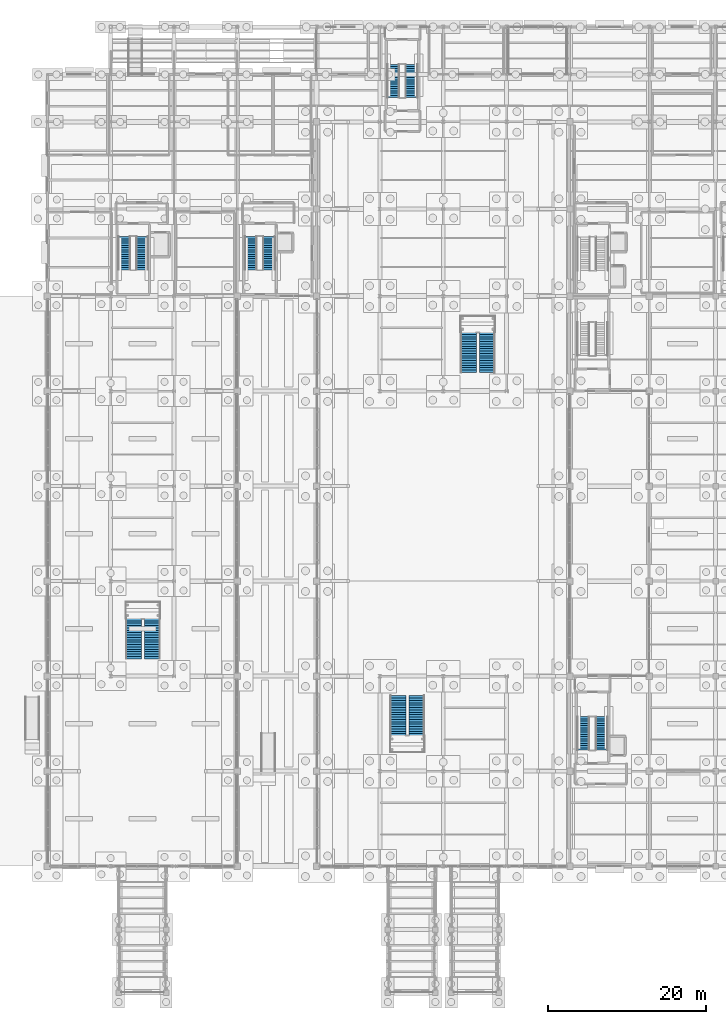
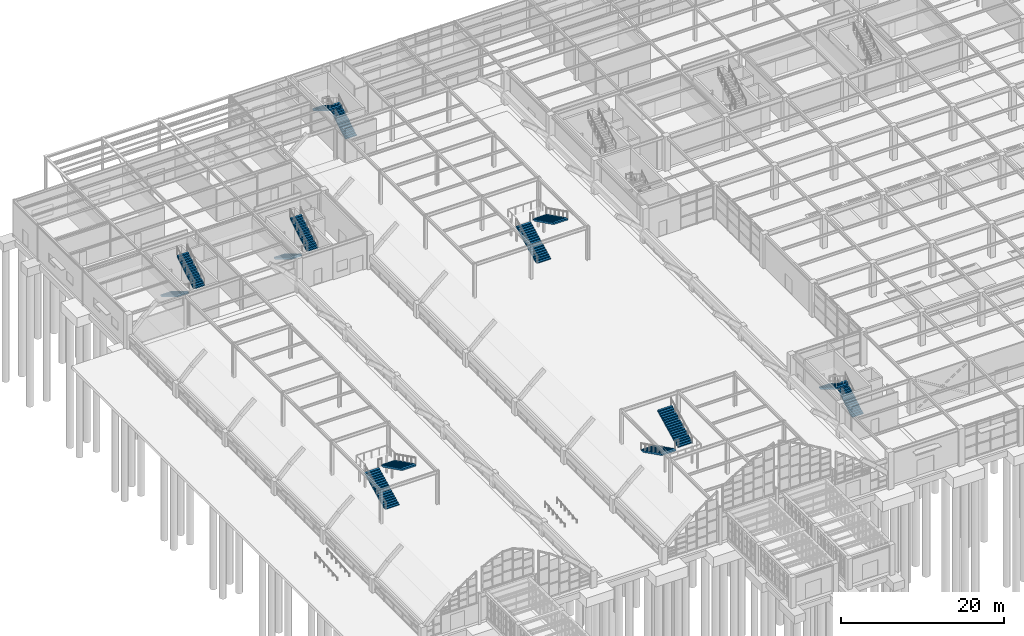
# One storey, part 111 of 129: 14 stair flights, 7 elements without a shape of their own.
"""IFC4 building model written with IfcOpenShell, lengths in metres."""

from ifc_helpers import new_model, si_unit, direction, frame, origin, place, context, subcontext, project, spatial, polyline, outline, extrude, material, type_object, element, aggregate, save


model = new_model("IFC4")

# Units and contexts
model_context = context("Model", 3, precision=1e-05, world=origin(), true_north=direction((0.0, 1.0)))
body_context = subcontext(model_context, "Body", "Model", "MODEL_VIEW")
ifc_project = project(units=[si_unit("LENGTHUNIT", "METRE"), si_unit("AREAUNIT", "SQUARE_METRE"), si_unit("VOLUMEUNIT", "CUBIC_METRE"), si_unit("PLANEANGLEUNIT", "RADIAN"), si_unit("MASSUNIT", "GRAM", prefix="KILO")], contexts=[model_context])

# Site, building, storey
site_placement = place(None, origin())
site = spatial("IfcSite", under=ifc_project, at=site_placement, CompositionType="ELEMENT")
building_placement = place(site_placement, origin())
building = spatial("IfcBuilding", under=site, at=building_placement, Name="Sitalva Quay Ferry Terminal", CompositionType="ELEMENT")
storey_placement = place(building_placement, origin())
storey = spatial("IfcBuildingStorey", under=building, at=storey_placement, Name="L01", CompositionType="ELEMENT", Elevation=0.0)

# Stair, stair flights
ifc_material_1 = material(Name="Concrete C35/45", Category="concrete")
stair_type_1 = type_object("IfcStairType", Name="Stair_ConcourseFeature_2000", PredefinedType="HALF_TURN_STAIR", material=ifc_material_1)
stair_1_placement = place(storey_placement, origin())
stair_1 = element("IfcStair", 1, at=stair_1_placement, inside=storey, type_object=stair_type_1, Name="Grand concourse feature stair ST-11", PredefinedType="HALF_TURN_STAIR")
ifc_material_2 = material(Name="Concrete C35/45", Category="concrete")
stair_flight_type_1 = type_object("IfcStairFlightType", Name="Stair_ConcourseFeature_2000_Flight", PredefinedType="STRAIGHT", material=ifc_material_2)
stair_flight_1_placement = place(storey_placement, frame((52.300048828125, 27.5400390625, 0.0), z_axis=(0.0, 0.0, 1.0), x_axis=(0.0, -1.0, 0.0)))
stair_flight_1 = element("IfcStairFlight", 2, at=stair_flight_1_placement, type_object=stair_flight_type_1, Name="ST-11 flight 1", NumberOfRisers=18, NumberOfTreads=17, PredefinedType="STRAIGHT", RiserHeight=0.15, TreadLength=0.3, context=body_context, shape_type="SweptSolid", body=[
    extrude(outline(polyline([(0.0, 0.0), (0.0, 0.14990234375), (0.300048828125, 0.14990234375), (0.300048828125, 0.300048828125), (0.60009765625, 0.300048828125), (0.60009765625, 0.449951171875), (0.89990234375, 0.449951171875), (0.89990234375, 0.60009765625), (1.199951171875, 0.60009765625), (1.199951171875, 0.75), (1.5, 0.75), (1.5, 0.89990234375), (1.800048828125, 0.89990234375), (1.800048828125, 1.050048828125), (2.10009765625, 1.050048828125), (2.10009765625, 1.199951171875), (2.39990234375, 1.199951171875), (2.39990234375, 1.35009765625), (2.699951171875, 1.35009765625), (2.699951171875, 1.5), (3.0, 1.5), (3.0, 1.64990234375), (3.300048828125, 1.64990234375), (3.300048828125, 1.800048828125), (3.60009765625, 1.800048828125), (3.60009765625, 1.949951171875), (3.89990234375, 1.949951171875), (3.89990234375, 2.10009765625), (4.199951171875, 2.10009765625), (4.199951171875, 2.25), (4.5, 2.25), (4.5, 2.39990234375), (4.800048828125, 2.39990234375), (4.800048828125, 2.550048828125), (5.10009765625, 2.550048828125), (5.10009765625, 2.699951171875), (5.10009765625, 2.326416015625), (4.841552734375, 2.197265625), (4.5830078125, 2.06787109375), (4.324462890625, 1.938720703125), (4.06591796875, 1.8095703125), (3.8076171875, 1.68017578125), (3.549072265625, 1.551025390625), (3.29052734375, 1.421630859375), (3.031982421875, 1.29248046875), (2.7734375, 1.163330078125), (2.51513671875, 1.033935546875), (2.256591796875, 0.90478515625), (1.998046875, 0.775390625), (1.739501953125, 0.646240234375), (1.481201171875, 0.51708984375), (1.22265625, 0.3876953125), (0.964111328125, 0.258544921875), (0.70556640625, 0.129150390625), (0.447021484375, 0.0), (0.0, 0.0)])), frame((0.0, 1.0, 0.0), z_axis=(0.0, -1.0, 0.0), x_axis=(1.0, 0.0, 0.0)), (0.0, 0.0, 1.0), 2.0),
])
stair_flight_2_placement = place(storey_placement, frame((54.64990234375, 22.43994140625, 2.699951171875), z_axis=(0.0, 0.0, 1.0), x_axis=(0.0, 1.0, 0.0)))
stair_flight_2 = element("IfcStairFlight", 3, at=stair_flight_2_placement, type_object=stair_flight_type_1, Name="ST-11 flight 2", NumberOfRisers=18, NumberOfTreads=17, PredefinedType="STRAIGHT", RiserHeight=0.15, TreadLength=0.3, context=body_context, shape_type="SweptSolid", body=[
    extrude(outline(polyline([(0.0, 0.0), (0.0, 0.14990234375), (0.300048828125, 0.14990234375), (0.300048828125, 0.300048828125), (0.60009765625, 0.300048828125), (0.60009765625, 0.449951171875), (0.89990234375, 0.449951171875), (0.89990234375, 0.60009765625), (1.199951171875, 0.60009765625), (1.199951171875, 0.75), (1.5, 0.75), (1.5, 0.89990234375), (1.800048828125, 0.89990234375), (1.800048828125, 1.050048828125), (2.10009765625, 1.050048828125), (2.10009765625, 1.199951171875), (2.39990234375, 1.199951171875), (2.39990234375, 1.35009765625), (2.699951171875, 1.35009765625), (2.699951171875, 1.5), (3.0, 1.5), (3.0, 1.64990234375), (3.300048828125, 1.64990234375), (3.300048828125, 1.800048828125), (3.60009765625, 1.800048828125), (3.60009765625, 1.949951171875), (3.89990234375, 1.949951171875), (3.89990234375, 2.10009765625), (4.199951171875, 2.10009765625), (4.199951171875, 2.25), (4.5, 2.25), (4.5, 2.39990234375), (4.800048828125, 2.39990234375), (4.800048828125, 2.550048828125), (5.10009765625, 2.550048828125), (5.10009765625, 2.699951171875), (5.10009765625, 2.326416015625), (4.841552734375, 2.197265625), (4.5830078125, 2.06787109375), (4.324462890625, 1.938720703125), (4.06591796875, 1.8095703125), (3.8076171875, 1.68017578125), (3.549072265625, 1.551025390625), (3.29052734375, 1.421630859375), (3.031982421875, 1.29248046875), (2.7734375, 1.163330078125), (2.51513671875, 1.033935546875), (2.256591796875, 0.90478515625), (1.998046875, 0.775390625), (1.739501953125, 0.646240234375), (1.481201171875, 0.51708984375), (1.22265625, 0.3876953125), (0.964111328125, 0.258544921875), (0.70556640625, 0.129150390625), (0.447021484375, 0.0), (0.0, 0.0)])), frame((0.0, 1.0, 0.0), z_axis=(0.0, -1.0, 0.0), x_axis=(1.0, 0.0, 0.0)), (0.0, 0.0, 1.0), 2.0),
])
aggregate(stair_1, [stair_flight_1, stair_flight_2])

stair_2_placement = place(storey_placement, origin())
stair_2 = element("IfcStair", 4, at=stair_2_placement, inside=storey, type_object=stair_type_1, Name="Grand concourse feature stair ST-12", PredefinedType="HALF_TURN_STAIR")
stair_flight_3_placement = place(storey_placement, frame((61.199951171875, 68.360107421875, 0.0), z_axis=(0.0, 0.0, 1.0), x_axis=(0.0, 1.0, 0.0)))
stair_flight_3 = element("IfcStairFlight", 5, at=stair_flight_3_placement, type_object=stair_flight_type_1, Name="ST-12 flight 1", NumberOfRisers=18, NumberOfTreads=17, PredefinedType="STRAIGHT", RiserHeight=0.15, TreadLength=0.3, context=body_context, shape_type="SweptSolid", body=[
    extrude(outline(polyline([(0.0, 0.0), (0.0, 0.14990234375), (0.300048828125, 0.14990234375), (0.300048828125, 0.300048828125), (0.60009765625, 0.300048828125), (0.60009765625, 0.449951171875), (0.89990234375, 0.449951171875), (0.89990234375, 0.60009765625), (1.199951171875, 0.60009765625), (1.199951171875, 0.75), (1.5, 0.75), (1.5, 0.89990234375), (1.800048828125, 0.89990234375), (1.800048828125, 1.050048828125), (2.10009765625, 1.050048828125), (2.10009765625, 1.199951171875), (2.39990234375, 1.199951171875), (2.39990234375, 1.35009765625), (2.699951171875, 1.35009765625), (2.699951171875, 1.5), (3.0, 1.5), (3.0, 1.64990234375), (3.300048828125, 1.64990234375), (3.300048828125, 1.800048828125), (3.60009765625, 1.800048828125), (3.60009765625, 1.949951171875), (3.89990234375, 1.949951171875), (3.89990234375, 2.10009765625), (4.199951171875, 2.10009765625), (4.199951171875, 2.25), (4.5, 2.25), (4.5, 2.39990234375), (4.800048828125, 2.39990234375), (4.800048828125, 2.550048828125), (5.10009765625, 2.550048828125), (5.10009765625, 2.699951171875), (5.10009765625, 2.326416015625), (4.841552734375, 2.197265625), (4.5830078125, 2.06787109375), (4.324462890625, 1.938720703125), (4.06591796875, 1.8095703125), (3.8076171875, 1.68017578125), (3.549072265625, 1.551025390625), (3.29052734375, 1.421630859375), (3.031982421875, 1.29248046875), (2.7734375, 1.163330078125), (2.51513671875, 1.033935546875), (2.256591796875, 0.90478515625), (1.998046875, 0.775390625), (1.739501953125, 0.646240234375), (1.481201171875, 0.51708984375), (1.22265625, 0.3876953125), (0.964111328125, 0.258544921875), (0.70556640625, 0.129150390625), (0.447021484375, 0.0), (0.0, 0.0)])), frame((0.0, 1.0, 0.0), z_axis=(0.0, -1.0, 0.0), x_axis=(1.0, 0.0, 0.0)), (0.0, 0.0, 1.0), 2.0),
])
stair_flight_4_placement = place(storey_placement, frame((63.550048828125, 73.4599609375, 2.699951171875), z_axis=(0.0, 0.0, 1.0), x_axis=(0.0, -1.0, 0.0)))
stair_flight_4 = element("IfcStairFlight", 6, at=stair_flight_4_placement, type_object=stair_flight_type_1, Name="ST-12 flight 2", NumberOfRisers=18, NumberOfTreads=17, PredefinedType="STRAIGHT", RiserHeight=0.15, TreadLength=0.3, context=body_context, shape_type="SweptSolid", body=[
    extrude(outline(polyline([(0.0, 0.0), (0.0, 0.14990234375), (0.300048828125, 0.14990234375), (0.300048828125, 0.300048828125), (0.60009765625, 0.300048828125), (0.60009765625, 0.449951171875), (0.89990234375, 0.449951171875), (0.89990234375, 0.60009765625), (1.199951171875, 0.60009765625), (1.199951171875, 0.75), (1.5, 0.75), (1.5, 0.89990234375), (1.800048828125, 0.89990234375), (1.800048828125, 1.050048828125), (2.10009765625, 1.050048828125), (2.10009765625, 1.199951171875), (2.39990234375, 1.199951171875), (2.39990234375, 1.35009765625), (2.699951171875, 1.35009765625), (2.699951171875, 1.5), (3.0, 1.5), (3.0, 1.64990234375), (3.300048828125, 1.64990234375), (3.300048828125, 1.800048828125), (3.60009765625, 1.800048828125), (3.60009765625, 1.949951171875), (3.89990234375, 1.949951171875), (3.89990234375, 2.10009765625), (4.199951171875, 2.10009765625), (4.199951171875, 2.25), (4.5, 2.25), (4.5, 2.39990234375), (4.800048828125, 2.39990234375), (4.800048828125, 2.550048828125), (5.10009765625, 2.550048828125), (5.10009765625, 2.699951171875), (5.10009765625, 2.326416015625), (4.841552734375, 2.197265625), (4.5830078125, 2.06787109375), (4.324462890625, 1.938720703125), (4.06591796875, 1.8095703125), (3.8076171875, 1.68017578125), (3.549072265625, 1.551025390625), (3.29052734375, 1.421630859375), (3.031982421875, 1.29248046875), (2.7734375, 1.163330078125), (2.51513671875, 1.033935546875), (2.256591796875, 0.90478515625), (1.998046875, 0.775390625), (1.739501953125, 0.646240234375), (1.481201171875, 0.51708984375), (1.22265625, 0.3876953125), (0.964111328125, 0.258544921875), (0.70556640625, 0.129150390625), (0.447021484375, 0.0), (0.0, 0.0)])), frame((0.0, 1.0, 0.0), z_axis=(0.0, -1.0, 0.0), x_axis=(1.0, 0.0, 0.0)), (0.0, 0.0, 1.0), 2.0),
])
aggregate(stair_2, [stair_flight_3, stair_flight_4])

stair_3_placement = place(storey_placement, origin())
stair_3 = element("IfcStair", 7, at=stair_3_placement, inside=storey, type_object=stair_type_1, Name="Grand concourse feature stair ST-14", PredefinedType="HALF_TURN_STAIR")
stair_flight_5_placement = place(storey_placement, frame((18.89990234375, 32.199951171875, 0.0), z_axis=(0.0, 0.0, 1.0), x_axis=(0.0, 1.0, 0.0)))
stair_flight_5 = element("IfcStairFlight", 8, at=stair_flight_5_placement, type_object=stair_flight_type_1, Name="ST-14 flight 1", NumberOfRisers=18, NumberOfTreads=17, PredefinedType="STRAIGHT", RiserHeight=0.15, TreadLength=0.3, context=body_context, shape_type="SweptSolid", body=[
    extrude(outline(polyline([(0.0, 0.0), (0.0, 0.14990234375), (0.300048828125, 0.14990234375), (0.300048828125, 0.300048828125), (0.60009765625, 0.300048828125), (0.60009765625, 0.449951171875), (0.89990234375, 0.449951171875), (0.89990234375, 0.60009765625), (1.199951171875, 0.60009765625), (1.199951171875, 0.75), (1.5, 0.75), (1.5, 0.89990234375), (1.800048828125, 0.89990234375), (1.800048828125, 1.050048828125), (2.10009765625, 1.050048828125), (2.10009765625, 1.199951171875), (2.39990234375, 1.199951171875), (2.39990234375, 1.35009765625), (2.699951171875, 1.35009765625), (2.699951171875, 1.5), (3.0, 1.5), (3.0, 1.64990234375), (3.300048828125, 1.64990234375), (3.300048828125, 1.800048828125), (3.60009765625, 1.800048828125), (3.60009765625, 1.949951171875), (3.89990234375, 1.949951171875), (3.89990234375, 2.10009765625), (4.199951171875, 2.10009765625), (4.199951171875, 2.25), (4.5, 2.25), (4.5, 2.39990234375), (4.800048828125, 2.39990234375), (4.800048828125, 2.550048828125), (5.10009765625, 2.550048828125), (5.10009765625, 2.699951171875), (5.10009765625, 2.326416015625), (4.841552734375, 2.197265625), (4.5830078125, 2.06787109375), (4.324462890625, 1.938720703125), (4.06591796875, 1.8095703125), (3.8076171875, 1.68017578125), (3.549072265625, 1.551025390625), (3.29052734375, 1.421630859375), (3.031982421875, 1.29248046875), (2.7734375, 1.163330078125), (2.51513671875, 1.033935546875), (2.256591796875, 0.90478515625), (1.998046875, 0.775390625), (1.739501953125, 0.646240234375), (1.481201171875, 0.51708984375), (1.22265625, 0.3876953125), (0.964111328125, 0.258544921875), (0.70556640625, 0.129150390625), (0.447021484375, 0.0), (0.0, 0.0)])), frame((0.0, 1.0, 0.0), z_axis=(0.0, -1.0, 0.0), x_axis=(1.0, 0.0, 0.0)), (0.0, 0.0, 1.0), 2.0),
])
stair_flight_6_placement = place(storey_placement, frame((21.25, 37.300048828125, 2.699951171875), z_axis=(0.0, 0.0, 1.0), x_axis=(0.0, -1.0, 0.0)))
stair_flight_6 = element("IfcStairFlight", 9, at=stair_flight_6_placement, type_object=stair_flight_type_1, Name="ST-14 flight 2", NumberOfRisers=18, NumberOfTreads=17, PredefinedType="STRAIGHT", RiserHeight=0.15, TreadLength=0.3, context=body_context, shape_type="SweptSolid", body=[
    extrude(outline(polyline([(0.0, 0.0), (0.0, 0.14990234375), (0.300048828125, 0.14990234375), (0.300048828125, 0.300048828125), (0.60009765625, 0.300048828125), (0.60009765625, 0.449951171875), (0.89990234375, 0.449951171875), (0.89990234375, 0.60009765625), (1.199951171875, 0.60009765625), (1.199951171875, 0.75), (1.5, 0.75), (1.5, 0.89990234375), (1.800048828125, 0.89990234375), (1.800048828125, 1.050048828125), (2.10009765625, 1.050048828125), (2.10009765625, 1.199951171875), (2.39990234375, 1.199951171875), (2.39990234375, 1.35009765625), (2.699951171875, 1.35009765625), (2.699951171875, 1.5), (3.0, 1.5), (3.0, 1.64990234375), (3.300048828125, 1.64990234375), (3.300048828125, 1.800048828125), (3.60009765625, 1.800048828125), (3.60009765625, 1.949951171875), (3.89990234375, 1.949951171875), (3.89990234375, 2.10009765625), (4.199951171875, 2.10009765625), (4.199951171875, 2.25), (4.5, 2.25), (4.5, 2.39990234375), (4.800048828125, 2.39990234375), (4.800048828125, 2.550048828125), (5.10009765625, 2.550048828125), (5.10009765625, 2.699951171875), (5.10009765625, 2.326416015625), (4.841552734375, 2.197265625), (4.5830078125, 2.06787109375), (4.324462890625, 1.938720703125), (4.06591796875, 1.8095703125), (3.8076171875, 1.68017578125), (3.549072265625, 1.551025390625), (3.29052734375, 1.421630859375), (3.031982421875, 1.29248046875), (2.7734375, 1.163330078125), (2.51513671875, 1.033935546875), (2.256591796875, 0.90478515625), (1.998046875, 0.775390625), (1.739501953125, 0.646240234375), (1.481201171875, 0.51708984375), (1.22265625, 0.3876953125), (0.964111328125, 0.258544921875), (0.70556640625, 0.129150390625), (0.447021484375, 0.0), (0.0, 0.0)])), frame((0.0, 1.0, 0.0), z_axis=(0.0, -1.0, 0.0), x_axis=(1.0, 0.0, 0.0)), (0.0, 0.0, 1.0), 2.0),
])
aggregate(stair_3, [stair_flight_5, stair_flight_6])

ifc_material_3 = material(Name="Concrete C35/45", Category="concrete")
stair_type_2 = type_object("IfcStairType", Name="Stair_CoreDogLeg_1400", PredefinedType="HALF_TURN_STAIR", material=ifc_material_3)
stair_4_placement = place(storey_placement, origin())
stair_4 = element("IfcStair", 10, at=stair_4_placement, inside=storey, type_object=stair_type_2, Name="L01 Core C3 stair ST-03", PredefinedType="HALF_TURN_STAIR")
ifc_material_4 = material(Name="Concrete C35/45", Category="concrete")
stair_flight_type_2 = type_object("IfcStairFlightType", Name="Stair_CoreDogLeg_1400_Flight", PredefinedType="STRAIGHT", material=ifc_material_4)
stair_flight_7_placement = place(storey_placement, frame((17.699951171875, 85.52001953125, 0.0), z_axis=(0.0, 0.0, 1.0), x_axis=(0.0, -1.0, 0.0)))
stair_flight_7 = element("IfcStairFlight", 11, at=stair_flight_7_placement, type_object=stair_flight_type_2, Name="ST-03 flight 1", NumberOfRisers=16, NumberOfTreads=15, PredefinedType="STRAIGHT", RiserHeight=0.16875, TreadLength=0.28, context=body_context, shape_type="SweptSolid", body=[
    extrude(outline(polyline([(0.0, 0.0), (0.0, 0.168701171875), (0.280029296875, 0.168701171875), (0.280029296875, 0.33740234375), (0.56005859375, 0.33740234375), (0.56005859375, 0.50634765625), (0.840087890625, 0.50634765625), (0.840087890625, 0.675048828125), (1.1201171875, 0.675048828125), (1.1201171875, 0.84375), (1.39990234375, 0.84375), (1.39990234375, 1.012451171875), (1.679931640625, 1.012451171875), (1.679931640625, 1.18115234375), (1.9599609375, 1.18115234375), (1.9599609375, 1.35009765625), (2.239990234375, 1.35009765625), (2.239990234375, 1.518798828125), (2.52001953125, 1.518798828125), (2.52001953125, 1.6875), (2.800048828125, 1.6875), (2.800048828125, 1.856201171875), (3.080078125, 1.856201171875), (3.080078125, 2.02490234375), (3.360107421875, 2.02490234375), (3.360107421875, 2.19384765625), (3.639892578125, 2.19384765625), (3.639892578125, 2.362548828125), (3.919921875, 2.362548828125), (3.919921875, 2.53125), (4.199951171875, 2.53125), (4.199951171875, 2.699951171875), (4.199951171875, 2.3212890625), (3.959228515625, 2.176025390625), (3.718505859375, 2.031005859375), (3.477783203125, 1.885986328125), (3.237060546875, 1.740966796875), (2.996337890625, 1.595703125), (2.755615234375, 1.45068359375), (2.514892578125, 1.3056640625), (2.274169921875, 1.16064453125), (2.03369140625, 1.015625), (1.79296875, 0.870361328125), (1.55224609375, 0.725341796875), (1.3115234375, 0.580322265625), (1.07080078125, 0.435302734375), (0.830078125, 0.2900390625), (0.58935546875, 0.14501953125), (0.3486328125, 0.0), (0.0, 0.0)])), frame((0.0, 0.780029296875, 0.0), z_axis=(0.0, -1.0, 0.0), x_axis=(1.0, 0.0, 0.0)), (0.0, 0.0, 1.0), 1.56005859375),
])
stair_flight_8_placement = place(storey_placement, frame((20.0, 81.320068359375, 2.699951171875), z_axis=(0.0, 0.0, 1.0), x_axis=(0.0, 1.0, 0.0)))
stair_flight_8 = element("IfcStairFlight", 12, at=stair_flight_8_placement, type_object=stair_flight_type_2, Name="ST-03 flight 2", NumberOfRisers=16, NumberOfTreads=15, PredefinedType="STRAIGHT", RiserHeight=0.16875, TreadLength=0.28, context=body_context, shape_type="SweptSolid", body=[
    extrude(outline(polyline([(0.0, 0.0), (0.0, 0.168701171875), (0.280029296875, 0.168701171875), (0.280029296875, 0.33740234375), (0.56005859375, 0.33740234375), (0.56005859375, 0.50634765625), (0.840087890625, 0.50634765625), (0.840087890625, 0.675048828125), (1.1201171875, 0.675048828125), (1.1201171875, 0.84375), (1.39990234375, 0.84375), (1.39990234375, 1.012451171875), (1.679931640625, 1.012451171875), (1.679931640625, 1.18115234375), (1.9599609375, 1.18115234375), (1.9599609375, 1.35009765625), (2.239990234375, 1.35009765625), (2.239990234375, 1.518798828125), (2.52001953125, 1.518798828125), (2.52001953125, 1.6875), (2.800048828125, 1.6875), (2.800048828125, 1.856201171875), (3.080078125, 1.856201171875), (3.080078125, 2.02490234375), (3.360107421875, 2.02490234375), (3.360107421875, 2.19384765625), (3.639892578125, 2.19384765625), (3.639892578125, 2.362548828125), (3.919921875, 2.362548828125), (3.919921875, 2.53125), (4.199951171875, 2.53125), (4.199951171875, 2.699951171875), (4.199951171875, 2.3212890625), (3.959228515625, 2.176025390625), (3.718505859375, 2.031005859375), (3.477783203125, 1.885986328125), (3.237060546875, 1.740966796875), (2.996337890625, 1.595703125), (2.755615234375, 1.45068359375), (2.514892578125, 1.3056640625), (2.274169921875, 1.16064453125), (2.03369140625, 1.015625), (1.79296875, 0.870361328125), (1.55224609375, 0.725341796875), (1.3115234375, 0.580322265625), (1.07080078125, 0.435302734375), (0.830078125, 0.2900390625), (0.58935546875, 0.14501953125), (0.3486328125, 0.0), (0.0, 0.0)])), frame((0.0, 0.780029296875, 0.0), z_axis=(0.0, -1.0, 0.0), x_axis=(1.0, 0.0, 0.0)), (0.0, 0.0, 1.0), 1.56005859375),
])
aggregate(stair_4, [stair_flight_7, stair_flight_8])

stair_5_placement = place(storey_placement, origin())
stair_5 = element("IfcStair", 13, at=stair_5_placement, inside=storey, type_object=stair_type_2, Name="L01 Core C5 stair ST-05", PredefinedType="HALF_TURN_STAIR")
stair_flight_9_placement = place(storey_placement, frame((33.699951171875, 85.52001953125, 0.0), z_axis=(0.0, 0.0, 1.0), x_axis=(0.0, -1.0, 0.0)))
stair_flight_9 = element("IfcStairFlight", 14, at=stair_flight_9_placement, type_object=stair_flight_type_2, Name="ST-05 flight 1", NumberOfRisers=16, NumberOfTreads=15, PredefinedType="STRAIGHT", RiserHeight=0.16875, TreadLength=0.28, context=body_context, shape_type="SweptSolid", body=[
    extrude(outline(polyline([(0.0, 0.0), (0.0, 0.168701171875), (0.280029296875, 0.168701171875), (0.280029296875, 0.33740234375), (0.56005859375, 0.33740234375), (0.56005859375, 0.50634765625), (0.840087890625, 0.50634765625), (0.840087890625, 0.675048828125), (1.1201171875, 0.675048828125), (1.1201171875, 0.84375), (1.39990234375, 0.84375), (1.39990234375, 1.012451171875), (1.679931640625, 1.012451171875), (1.679931640625, 1.18115234375), (1.9599609375, 1.18115234375), (1.9599609375, 1.35009765625), (2.239990234375, 1.35009765625), (2.239990234375, 1.518798828125), (2.52001953125, 1.518798828125), (2.52001953125, 1.6875), (2.800048828125, 1.6875), (2.800048828125, 1.856201171875), (3.080078125, 1.856201171875), (3.080078125, 2.02490234375), (3.360107421875, 2.02490234375), (3.360107421875, 2.19384765625), (3.639892578125, 2.19384765625), (3.639892578125, 2.362548828125), (3.919921875, 2.362548828125), (3.919921875, 2.53125), (4.199951171875, 2.53125), (4.199951171875, 2.699951171875), (4.199951171875, 2.3212890625), (3.959228515625, 2.176025390625), (3.718505859375, 2.031005859375), (3.477783203125, 1.885986328125), (3.237060546875, 1.740966796875), (2.996337890625, 1.595703125), (2.755615234375, 1.45068359375), (2.514892578125, 1.3056640625), (2.274169921875, 1.16064453125), (2.03369140625, 1.015625), (1.79296875, 0.870361328125), (1.55224609375, 0.725341796875), (1.3115234375, 0.580322265625), (1.07080078125, 0.435302734375), (0.830078125, 0.2900390625), (0.58935546875, 0.14501953125), (0.3486328125, 0.0), (0.0, 0.0)])), frame((0.0, 0.780029296875, 0.0), z_axis=(0.0, -1.0, 0.0), x_axis=(1.0, 0.0, 0.0)), (0.0, 0.0, 1.0), 1.56005859375),
])
stair_flight_10_placement = place(storey_placement, frame((36.0, 81.320068359375, 2.699951171875), z_axis=(0.0, 0.0, 1.0), x_axis=(0.0, 1.0, 0.0)))
stair_flight_10 = element("IfcStairFlight", 15, at=stair_flight_10_placement, type_object=stair_flight_type_2, Name="ST-05 flight 2", NumberOfRisers=16, NumberOfTreads=15, PredefinedType="STRAIGHT", RiserHeight=0.16875, TreadLength=0.28, context=body_context, shape_type="SweptSolid", body=[
    extrude(outline(polyline([(0.0, 0.0), (0.0, 0.168701171875), (0.280029296875, 0.168701171875), (0.280029296875, 0.33740234375), (0.56005859375, 0.33740234375), (0.56005859375, 0.50634765625), (0.840087890625, 0.50634765625), (0.840087890625, 0.675048828125), (1.1201171875, 0.675048828125), (1.1201171875, 0.84375), (1.39990234375, 0.84375), (1.39990234375, 1.012451171875), (1.679931640625, 1.012451171875), (1.679931640625, 1.18115234375), (1.9599609375, 1.18115234375), (1.9599609375, 1.35009765625), (2.239990234375, 1.35009765625), (2.239990234375, 1.518798828125), (2.52001953125, 1.518798828125), (2.52001953125, 1.6875), (2.800048828125, 1.6875), (2.800048828125, 1.856201171875), (3.080078125, 1.856201171875), (3.080078125, 2.02490234375), (3.360107421875, 2.02490234375), (3.360107421875, 2.19384765625), (3.639892578125, 2.19384765625), (3.639892578125, 2.362548828125), (3.919921875, 2.362548828125), (3.919921875, 2.53125), (4.199951171875, 2.53125), (4.199951171875, 2.699951171875), (4.199951171875, 2.3212890625), (3.959228515625, 2.176025390625), (3.718505859375, 2.031005859375), (3.477783203125, 1.885986328125), (3.237060546875, 1.740966796875), (2.996337890625, 1.595703125), (2.755615234375, 1.45068359375), (2.514892578125, 1.3056640625), (2.274169921875, 1.16064453125), (2.03369140625, 1.015625), (1.79296875, 0.870361328125), (1.55224609375, 0.725341796875), (1.3115234375, 0.580322265625), (1.07080078125, 0.435302734375), (0.830078125, 0.2900390625), (0.58935546875, 0.14501953125), (0.3486328125, 0.0), (0.0, 0.0)])), frame((0.0, 0.780029296875, 0.0), z_axis=(0.0, -1.0, 0.0), x_axis=(1.0, 0.0, 0.0)), (0.0, 0.0, 1.0), 1.56005859375),
])
aggregate(stair_5, [stair_flight_9, stair_flight_10])

stair_6_placement = place(storey_placement, origin())
stair_6 = element("IfcStair", 16, at=stair_6_placement, inside=storey, type_object=stair_type_2, Name="L01 Core C6 stair ST-06", PredefinedType="HALF_TURN_STAIR")
stair_flight_11_placement = place(storey_placement, frame((78.0, 20.679931640625, 0.0), z_axis=(0.0, 0.0, 1.0), x_axis=(0.0, 1.0, 0.0)))
stair_flight_11 = element("IfcStairFlight", 17, at=stair_flight_11_placement, type_object=stair_flight_type_2, Name="ST-06 flight 1", NumberOfRisers=16, NumberOfTreads=15, PredefinedType="STRAIGHT", RiserHeight=0.16875, TreadLength=0.28, context=body_context, shape_type="SweptSolid", body=[
    extrude(outline(polyline([(0.0, 0.0), (0.0, 0.168701171875), (0.280029296875, 0.168701171875), (0.280029296875, 0.33740234375), (0.56005859375, 0.33740234375), (0.56005859375, 0.50634765625), (0.840087890625, 0.50634765625), (0.840087890625, 0.675048828125), (1.1201171875, 0.675048828125), (1.1201171875, 0.84375), (1.39990234375, 0.84375), (1.39990234375, 1.012451171875), (1.679931640625, 1.012451171875), (1.679931640625, 1.18115234375), (1.9599609375, 1.18115234375), (1.9599609375, 1.35009765625), (2.239990234375, 1.35009765625), (2.239990234375, 1.518798828125), (2.52001953125, 1.518798828125), (2.52001953125, 1.6875), (2.800048828125, 1.6875), (2.800048828125, 1.856201171875), (3.080078125, 1.856201171875), (3.080078125, 2.02490234375), (3.360107421875, 2.02490234375), (3.360107421875, 2.19384765625), (3.639892578125, 2.19384765625), (3.639892578125, 2.362548828125), (3.919921875, 2.362548828125), (3.919921875, 2.53125), (4.199951171875, 2.53125), (4.199951171875, 2.699951171875), (4.199951171875, 2.3212890625), (3.959228515625, 2.176025390625), (3.718505859375, 2.031005859375), (3.477783203125, 1.885986328125), (3.237060546875, 1.740966796875), (2.996337890625, 1.595703125), (2.755615234375, 1.45068359375), (2.514892578125, 1.3056640625), (2.274169921875, 1.16064453125), (2.03369140625, 1.015625), (1.79296875, 0.870361328125), (1.55224609375, 0.725341796875), (1.3115234375, 0.580322265625), (1.07080078125, 0.435302734375), (0.830078125, 0.2900390625), (0.58935546875, 0.14501953125), (0.3486328125, 0.0), (0.0, 0.0)])), frame((0.0, 0.780029296875, 0.0), z_axis=(0.0, -1.0, 0.0), x_axis=(1.0, 0.0, 0.0)), (0.0, 0.0, 1.0), 1.56005859375),
])
stair_flight_12_placement = place(storey_placement, frame((75.699951171875, 24.8798828125, 2.699951171875), z_axis=(0.0, 0.0, 1.0), x_axis=(0.0, -1.0, 0.0)))
stair_flight_12 = element("IfcStairFlight", 18, at=stair_flight_12_placement, type_object=stair_flight_type_2, Name="ST-06 flight 2", NumberOfRisers=16, NumberOfTreads=15, PredefinedType="STRAIGHT", RiserHeight=0.16875, TreadLength=0.28, context=body_context, shape_type="SweptSolid", body=[
    extrude(outline(polyline([(0.0, 0.0), (0.0, 0.168701171875), (0.280029296875, 0.168701171875), (0.280029296875, 0.33740234375), (0.56005859375, 0.33740234375), (0.56005859375, 0.50634765625), (0.840087890625, 0.50634765625), (0.840087890625, 0.675048828125), (1.1201171875, 0.675048828125), (1.1201171875, 0.84375), (1.39990234375, 0.84375), (1.39990234375, 1.012451171875), (1.679931640625, 1.012451171875), (1.679931640625, 1.18115234375), (1.9599609375, 1.18115234375), (1.9599609375, 1.35009765625), (2.239990234375, 1.35009765625), (2.239990234375, 1.518798828125), (2.52001953125, 1.518798828125), (2.52001953125, 1.6875), (2.800048828125, 1.6875), (2.800048828125, 1.856201171875), (3.080078125, 1.856201171875), (3.080078125, 2.02490234375), (3.360107421875, 2.02490234375), (3.360107421875, 2.19384765625), (3.639892578125, 2.19384765625), (3.639892578125, 2.362548828125), (3.919921875, 2.362548828125), (3.919921875, 2.53125), (4.199951171875, 2.53125), (4.199951171875, 2.699951171875), (4.199951171875, 2.3212890625), (3.959228515625, 2.176025390625), (3.718505859375, 2.031005859375), (3.477783203125, 1.885986328125), (3.237060546875, 1.740966796875), (2.996337890625, 1.595703125), (2.755615234375, 1.45068359375), (2.514892578125, 1.3056640625), (2.274169921875, 1.16064453125), (2.03369140625, 1.015625), (1.79296875, 0.870361328125), (1.55224609375, 0.725341796875), (1.3115234375, 0.580322265625), (1.07080078125, 0.435302734375), (0.830078125, 0.2900390625), (0.58935546875, 0.14501953125), (0.3486328125, 0.0), (0.0, 0.0)])), frame((0.0, 0.780029296875, 0.0), z_axis=(0.0, -1.0, 0.0), x_axis=(1.0, 0.0, 0.0)), (0.0, 0.0, 1.0), 1.56005859375),
])
aggregate(stair_6, [stair_flight_11, stair_flight_12])

stair_7_placement = place(storey_placement, origin())
stair_7 = element("IfcStair", 19, at=stair_7_placement, inside=storey, type_object=stair_type_2, Name="L01 Core C7 stair ST-07", PredefinedType="HALF_TURN_STAIR")
stair_flight_13_placement = place(storey_placement, frame((54.0, 103.080078125, 0.0), z_axis=(0.0, 0.0, 1.0), x_axis=(0.0, 1.0, 0.0)))
stair_flight_13 = element("IfcStairFlight", 20, at=stair_flight_13_placement, type_object=stair_flight_type_2, Name="ST-07 flight 1", NumberOfRisers=16, NumberOfTreads=15, PredefinedType="STRAIGHT", RiserHeight=0.16875, TreadLength=0.28, context=body_context, shape_type="SweptSolid", body=[
    extrude(outline(polyline([(0.0, 0.0), (0.0, 0.168701171875), (0.280029296875, 0.168701171875), (0.280029296875, 0.33740234375), (0.56005859375, 0.33740234375), (0.56005859375, 0.50634765625), (0.840087890625, 0.50634765625), (0.840087890625, 0.675048828125), (1.1201171875, 0.675048828125), (1.1201171875, 0.84375), (1.39990234375, 0.84375), (1.39990234375, 1.012451171875), (1.679931640625, 1.012451171875), (1.679931640625, 1.18115234375), (1.9599609375, 1.18115234375), (1.9599609375, 1.35009765625), (2.239990234375, 1.35009765625), (2.239990234375, 1.518798828125), (2.52001953125, 1.518798828125), (2.52001953125, 1.6875), (2.800048828125, 1.6875), (2.800048828125, 1.856201171875), (3.080078125, 1.856201171875), (3.080078125, 2.02490234375), (3.360107421875, 2.02490234375), (3.360107421875, 2.19384765625), (3.639892578125, 2.19384765625), (3.639892578125, 2.362548828125), (3.919921875, 2.362548828125), (3.919921875, 2.53125), (4.199951171875, 2.53125), (4.199951171875, 2.699951171875), (4.199951171875, 2.3212890625), (3.959228515625, 2.176025390625), (3.718505859375, 2.031005859375), (3.477783203125, 1.885986328125), (3.237060546875, 1.740966796875), (2.996337890625, 1.595703125), (2.755615234375, 1.45068359375), (2.514892578125, 1.3056640625), (2.274169921875, 1.16064453125), (2.03369140625, 1.015625), (1.79296875, 0.870361328125), (1.55224609375, 0.725341796875), (1.3115234375, 0.580322265625), (1.07080078125, 0.435302734375), (0.830078125, 0.2900390625), (0.58935546875, 0.14501953125), (0.3486328125, 0.0), (0.0, 0.0)])), frame((0.0, 0.780029296875, 0.0), z_axis=(0.0, -1.0, 0.0), x_axis=(1.0, 0.0, 0.0)), (0.0, 0.0, 1.0), 1.56005859375),
])
stair_flight_14_placement = place(storey_placement, frame((51.699951171875, 107.280029296875, 2.699951171875), z_axis=(0.0, 0.0, 1.0), x_axis=(0.0, -1.0, 0.0)))
stair_flight_14 = element("IfcStairFlight", 21, at=stair_flight_14_placement, type_object=stair_flight_type_2, Name="ST-07 flight 2", NumberOfRisers=16, NumberOfTreads=15, PredefinedType="STRAIGHT", RiserHeight=0.16875, TreadLength=0.28, context=body_context, shape_type="SweptSolid", body=[
    extrude(outline(polyline([(0.0, 0.0), (0.0, 0.168701171875), (0.280029296875, 0.168701171875), (0.280029296875, 0.33740234375), (0.56005859375, 0.33740234375), (0.56005859375, 0.50634765625), (0.840087890625, 0.50634765625), (0.840087890625, 0.675048828125), (1.1201171875, 0.675048828125), (1.1201171875, 0.84375), (1.39990234375, 0.84375), (1.39990234375, 1.012451171875), (1.679931640625, 1.012451171875), (1.679931640625, 1.18115234375), (1.9599609375, 1.18115234375), (1.9599609375, 1.35009765625), (2.239990234375, 1.35009765625), (2.239990234375, 1.518798828125), (2.52001953125, 1.518798828125), (2.52001953125, 1.6875), (2.800048828125, 1.6875), (2.800048828125, 1.856201171875), (3.080078125, 1.856201171875), (3.080078125, 2.02490234375), (3.360107421875, 2.02490234375), (3.360107421875, 2.19384765625), (3.639892578125, 2.19384765625), (3.639892578125, 2.362548828125), (3.919921875, 2.362548828125), (3.919921875, 2.53125), (4.199951171875, 2.53125), (4.199951171875, 2.699951171875), (4.199951171875, 2.3212890625), (3.959228515625, 2.176025390625), (3.718505859375, 2.031005859375), (3.477783203125, 1.885986328125), (3.237060546875, 1.740966796875), (2.996337890625, 1.595703125), (2.755615234375, 1.45068359375), (2.514892578125, 1.3056640625), (2.274169921875, 1.16064453125), (2.03369140625, 1.015625), (1.79296875, 0.870361328125), (1.55224609375, 0.725341796875), (1.3115234375, 0.580322265625), (1.07080078125, 0.435302734375), (0.830078125, 0.2900390625), (0.58935546875, 0.14501953125), (0.3486328125, 0.0), (0.0, 0.0)])), frame((0.0, 0.780029296875, 0.0), z_axis=(0.0, -1.0, 0.0), x_axis=(1.0, 0.0, 0.0)), (0.0, 0.0, 1.0), 1.56005859375),
])
aggregate(stair_7, [stair_flight_13, stair_flight_14])

save(model, "model.ifc")
